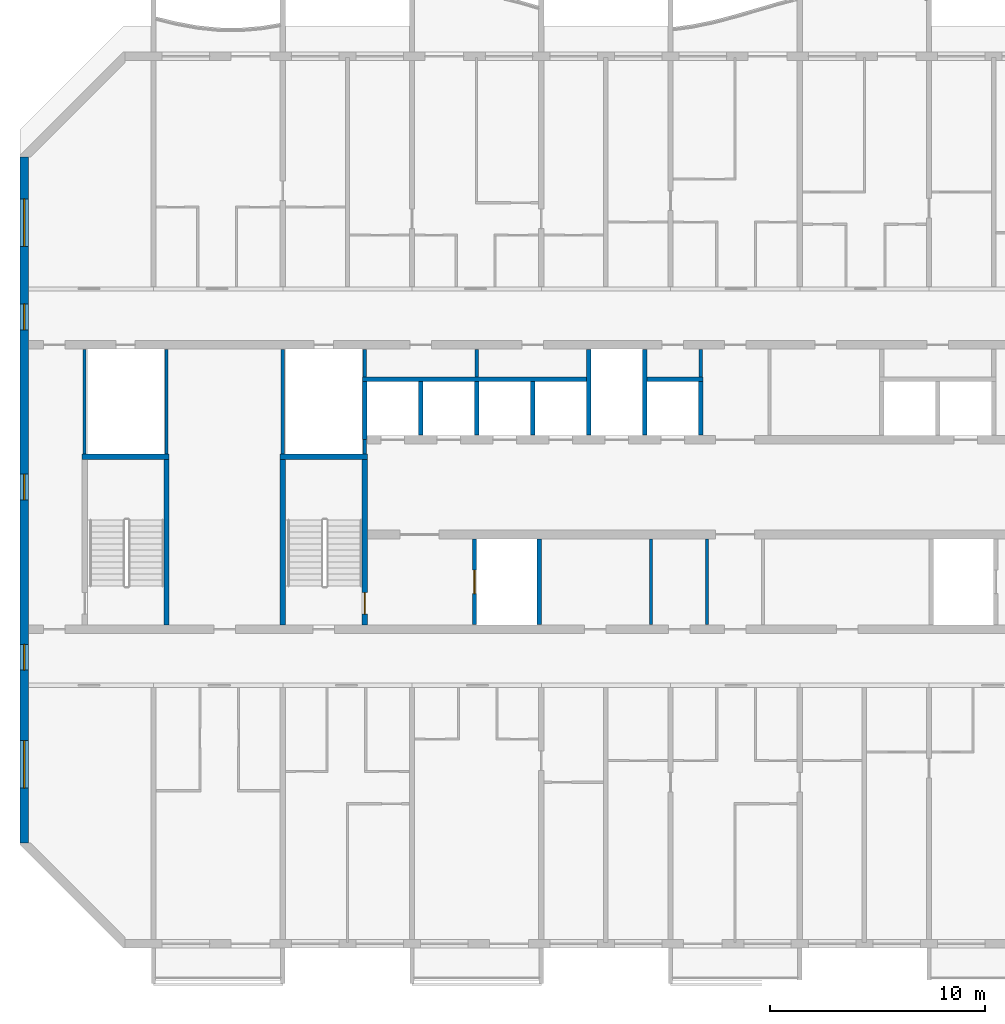
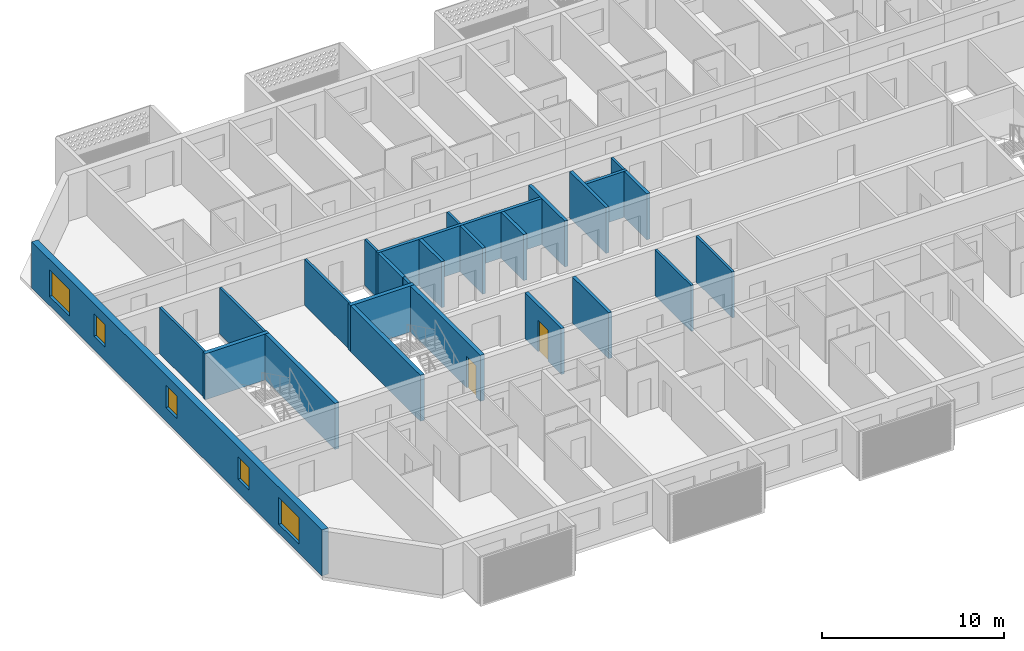
# One storey, part 3 of 26: 26 walls, 5 windows, 2 doors, 7 openings.
"""IFC4 building model written with IfcOpenShell, lengths in metres."""

from ifc_helpers import new_model, si_unit, direction, frame, frame_2d, origin, place, context, subcontext, project, spatial, rectangle, extrude, material, layer, layer_set, type_object, element, fill, save


model = new_model("IFC4")

# Units and contexts
model_context = context("Model", 3, precision=1e-05, world=origin(), true_north=direction((0.0, 1.0)))
body_context = subcontext(model_context, "Body", "Model", "MODEL_VIEW")
ifc_project = project(units=[si_unit("LENGTHUNIT", "METRE"), si_unit("AREAUNIT", "SQUARE_METRE"), si_unit("VOLUMEUNIT", "CUBIC_METRE"), si_unit("PLANEANGLEUNIT", "RADIAN"), si_unit("MASSUNIT", "GRAM", prefix="KILO")], contexts=[model_context])

# Site, building, storey
site_placement = place(None, origin())
site = spatial("IfcSite", under=ifc_project, at=site_placement, CompositionType="ELEMENT")
building_placement = place(site_placement, origin())
building = spatial("IfcBuilding", under=site, at=building_placement, Name="Poui Terraces", CompositionType="ELEMENT")
storey_placement = place(building_placement, frame((0.0, 0.0, 171.89990234375)))
storey = spatial("IfcBuildingStorey", under=building, at=storey_placement, Name="L47", CompositionType="ELEMENT", Elevation=171.89990234375)

# Walls
ifc_material_1 = material(Name="Fire-rated plasterboard wall")
ifc_layer_1 = layer(ifc_material_1, 0.14990234375)
ifc_layer_set_1 = layer_set([ifc_layer_1], Name="Fire-rated plasterboard wall")
wall_type_1 = type_object("IfcWallType", Name="CORRIDOR WALL 150", PredefinedType="PARTITIONING", material=ifc_layer_set_1)
wall_1_placement = place(storey_placement, frame((49.39990234375, 26.300048828125, 0.0), z_axis=(0.0, 0.0, 1.0), x_axis=(0.0, 1.0, 0.0)))
element("IfcWall", 1, at=wall_1_placement, inside=storey, type_object=wall_type_1, Name="CORRIDOR WALL 150", PredefinedType="PARTITIONING", context=body_context, shape_type="SweptSolid", body=[
    extrude(rectangle(XDim=1.2900390625, YDim=0.14990234375, at=frame_2d((0.64501953125, 0.0))), origin(), (0.0, 0.0, 1.0), 3.080078125),
])
wall_2_placement = place(storey_placement, frame((49.699951171875, 14.81005859375, 0.0), z_axis=(0.0, 0.0, 1.0), x_axis=(0.0, 1.0, 0.0)))
element("IfcWall", 2, at=wall_2_placement, inside=storey, type_object=wall_type_1, Name="CORRIDOR WALL 150", PredefinedType="PARTITIONING", context=body_context, shape_type="SweptSolid", body=[
    extrude(rectangle(XDim=3.97998046875, YDim=0.14990234375, at=frame_2d((1.989990234375, 0.0))), origin(), (0.0, 0.0, 1.0), 3.080078125),
])

# Wall, openings, windows
ifc_material_2 = material(Name="Concrete 50 MPa", Category="concrete")
ifc_layer_2 = layer(ifc_material_2, 0.39990234375)
ifc_layer_set_2 = layer_set([ifc_layer_2], Name="Concrete 50 MPa")
wall_type_2 = type_object("IfcWallType", Name="END WALL 400 50MPa", PredefinedType="SHEAR", material=ifc_layer_set_2)
wall_3_placement = place(storey_placement, frame((18.0, 4.682861328125, 0.0), z_axis=(0.0, 0.0, 1.0), x_axis=(0.0, 1.0, 0.0)))
wall_3 = element("IfcWall", 3, at=wall_3_placement, inside=storey, type_object=wall_type_2, Name="END WALL WEST", PredefinedType="SHEAR", context=body_context, shape_type="SweptSolid", body=[
    extrude(rectangle(XDim=31.834228515625, YDim=0.39990234375, at=frame_2d((15.9169921875, 0.0))), origin(), (0.0, 0.0, 1.0), 3.080078125),
])
opening_1_placement = place(wall_3_placement, frame((23.817138671875, 0.0, 0.89990234375)))
opening_1 = element("IfcOpeningElement", 4, at=opening_1_placement, cuts=wall_3, Name="Opening W2", PredefinedType="OPENING", context=body_context, shape_type="SweptSolid", body=[
    extrude(rectangle(XDim=1.199951171875, YDim=1.5, at=frame_2d((0.60009765625, 0.75))), frame((0.0, 0.2099609375, 0.0), z_axis=(0.0, -1.0, 0.0), x_axis=(1.0, 0.0, 0.0)), (0.0, 0.0, 1.0), 0.419921875),
])
opening_2_placement = place(wall_3_placement, frame((8.01708984375, 0.0, 0.89990234375)))
opening_2 = element("IfcOpeningElement", 5, at=opening_2_placement, cuts=wall_3, Name="Opening W2", PredefinedType="OPENING", context=body_context, shape_type="SweptSolid", body=[
    extrude(rectangle(XDim=1.199951171875, YDim=1.5, at=frame_2d((0.60009765625, 0.75))), frame((0.0, 0.2099609375, 0.0), z_axis=(0.0, -1.0, 0.0), x_axis=(1.0, 0.0, 0.0)), (0.0, 0.0, 1.0), 0.419921875),
])
opening_3_placement = place(wall_3_placement, frame((27.693603515625, 0.0, 0.60009765625)))
opening_3 = element("IfcOpeningElement", 6, at=opening_3_placement, cuts=wall_3, Name="Opening W3", PredefinedType="OPENING", context=body_context, shape_type="SweptSolid", body=[
    extrude(rectangle(XDim=2.199951171875, YDim=1.800048828125, at=frame_2d((1.10009765625, 0.89990234375))), frame((0.0, 0.2099609375, 0.0), z_axis=(0.0, -1.0, 0.0), x_axis=(1.0, 0.0, 0.0)), (0.0, 0.0, 1.0), 0.419921875),
])
opening_4_placement = place(wall_3_placement, frame((2.541015625, 0.0, 0.60009765625)))
opening_4 = element("IfcOpeningElement", 7, at=opening_4_placement, cuts=wall_3, Name="Opening W3", PredefinedType="OPENING", context=body_context, shape_type="SweptSolid", body=[
    extrude(rectangle(XDim=2.199951171875, YDim=1.800048828125, at=frame_2d((1.10009765625, 0.89990234375))), frame((0.0, 0.2099609375, 0.0), z_axis=(0.0, -1.0, 0.0), x_axis=(1.0, 0.0, 0.0)), (0.0, 0.0, 1.0), 0.419921875),
])
opening_5_placement = place(wall_3_placement, frame((15.917236328125, 0.0, 0.89990234375)))
opening_5 = element("IfcOpeningElement", 8, at=opening_5_placement, cuts=wall_3, Name="Opening W2", PredefinedType="OPENING", context=body_context, shape_type="SweptSolid", body=[
    extrude(rectangle(XDim=1.199951171875, YDim=1.5, at=frame_2d((0.60009765625, 0.75))), frame((0.0, 0.2099609375, 0.0), z_axis=(0.0, -1.0, 0.0), x_axis=(1.0, 0.0, 0.0)), (0.0, 0.0, 1.0), 0.419921875),
])
ifc_material_3 = material(Name="Clear glass in aluminium frame", Category="aluminium")
window_type_1 = type_object("IfcWindowType", Name="WINDOW 1200X1500", PartitioningType="SINGLE_PANEL", PredefinedType="WINDOW", material=ifc_material_3)
window_1_placement = place(opening_1_placement, origin())
window_1 = element("IfcWindow", 9, at=window_1_placement, inside=storey, type_object=window_type_1, Name="W2 WINDOW", OverallHeight=1.5, OverallWidth=1.199951171875, PartitioningType="SINGLE_PANEL", PredefinedType="WINDOW", context=body_context, shape_type="SweptSolid", body=[
    extrude(rectangle(XDim=1.199951171875, YDim=1.5, at=frame_2d((0.60009765625, 0.75))), frame((0.0, 0.030029296875, 0.0), z_axis=(0.0, -1.0, 0.0), x_axis=(1.0, 0.0, 0.0)), (0.0, 0.0, 1.0), 0.06005859375),
])
fill(opening_1, window_1)
window_2_placement = place(opening_2_placement, origin())
window_2 = element("IfcWindow", 10, at=window_2_placement, inside=storey, type_object=window_type_1, Name="W2 WINDOW", OverallHeight=1.5, OverallWidth=1.199951171875, PartitioningType="SINGLE_PANEL", PredefinedType="WINDOW", context=body_context, shape_type="SweptSolid", body=[
    extrude(rectangle(XDim=1.199951171875, YDim=1.5, at=frame_2d((0.60009765625, 0.75))), frame((0.0, 0.030029296875, 0.0), z_axis=(0.0, -1.0, 0.0), x_axis=(1.0, 0.0, 0.0)), (0.0, 0.0, 1.0), 0.06005859375),
])
fill(opening_2, window_2)
window_3_placement = place(opening_5_placement, origin())
window_3 = element("IfcWindow", 11, at=window_3_placement, inside=storey, type_object=window_type_1, Name="W2 WINDOW", OverallHeight=1.5, OverallWidth=1.199951171875, PartitioningType="SINGLE_PANEL", PredefinedType="WINDOW", context=body_context, shape_type="SweptSolid", body=[
    extrude(rectangle(XDim=1.199951171875, YDim=1.5, at=frame_2d((0.60009765625, 0.75))), frame((0.0, 0.030029296875, 0.0), z_axis=(0.0, -1.0, 0.0), x_axis=(1.0, 0.0, 0.0)), (0.0, 0.0, 1.0), 0.06005859375),
])
fill(opening_5, window_3)
window_type_2 = type_object("IfcWindowType", Name="WINDOW 2200X1800", PartitioningType="DOUBLE_PANEL_HORIZONTAL", PredefinedType="WINDOW", material=ifc_material_3)
window_4_placement = place(opening_3_placement, origin())
window_4 = element("IfcWindow", 12, at=window_4_placement, inside=storey, type_object=window_type_2, Name="W3 WINDOW", OverallHeight=1.800048828125, OverallWidth=2.199951171875, PartitioningType="DOUBLE_PANEL_HORIZONTAL", PredefinedType="WINDOW", context=body_context, shape_type="SweptSolid", body=[
    extrude(rectangle(XDim=2.199951171875, YDim=1.800048828125, at=frame_2d((1.10009765625, 0.89990234375))), frame((0.0, 0.030029296875, 0.0), z_axis=(0.0, -1.0, 0.0), x_axis=(1.0, 0.0, 0.0)), (0.0, 0.0, 1.0), 0.06005859375),
])
fill(opening_3, window_4)
window_5_placement = place(opening_4_placement, origin())
window_5 = element("IfcWindow", 13, at=window_5_placement, inside=storey, type_object=window_type_2, Name="W3 WINDOW", OverallHeight=1.800048828125, OverallWidth=2.199951171875, PartitioningType="DOUBLE_PANEL_HORIZONTAL", PredefinedType="WINDOW", context=body_context, shape_type="SweptSolid", body=[
    extrude(rectangle(XDim=2.199951171875, YDim=1.800048828125, at=frame_2d((1.10009765625, 0.89990234375))), frame((0.0, 0.030029296875, 0.0), z_axis=(0.0, -1.0, 0.0), x_axis=(1.0, 0.0, 0.0)), (0.0, 0.0, 1.0), 0.06005859375),
])
fill(opening_4, window_5)

# Walls
ifc_material_4 = material(Name="Plasterboard partition")
ifc_layer_3 = layer(ifc_material_4, 0.14990234375)
ifc_layer_set_3 = layer_set([ifc_layer_3], Name="Plasterboard partition")
wall_type_3 = type_object("IfcWallType", Name="PARTITION WALL 150", PredefinedType="PARTITIONING", material=ifc_layer_set_3)
wall_4_placement = place(storey_placement, frame((39.0, 26.300048828125, 0.0), z_axis=(0.0, 0.0, 1.0), x_axis=(0.0, 1.0, 0.0)))
element("IfcWall", 14, at=wall_4_placement, inside=storey, type_object=wall_type_3, Name="PARTITION WALL 150", PredefinedType="PARTITIONING", context=body_context, shape_type="SweptSolid", body=[
    extrude(rectangle(XDim=1.2900390625, YDim=0.14990234375, at=frame_2d((0.64501953125, 0.0))), origin(), (0.0, 0.0, 1.0), 3.080078125),
])
wall_5_placement = place(storey_placement, frame((47.10009765625, 14.81005859375, 0.0), z_axis=(0.0, 0.0, 1.0), x_axis=(0.0, 1.0, 0.0)))
element("IfcWall", 15, at=wall_5_placement, inside=storey, type_object=wall_type_3, Name="PARTITION WALL 150", PredefinedType="PARTITIONING", context=body_context, shape_type="SweptSolid", body=[
    extrude(rectangle(XDim=3.97998046875, YDim=0.14990234375, at=frame_2d((1.989990234375, 0.0))), origin(), (0.0, 0.0, 1.0), 3.080078125),
])
ifc_material_5 = material(Name="Fire-rated plasterboard riser wall")
ifc_layer_4 = layer(ifc_material_5, 0.14990234375)
ifc_layer_set_4 = layer_set([ifc_layer_4], Name="Fire-rated plasterboard riser wall")
wall_type_4 = type_object("IfcWallType", Name="RISER WALL 150", PredefinedType="PARTITIONING", material=ifc_layer_set_4)
for number, where, z_axis, x_axis, name in (
    (16, (20.800048828125, 22.735107421875, 0.0), (0.0, 0.0, 1.0), (0.0, 1.0, 0.0), "RISER WALL 150"),
    (17, (24.60009765625, 22.735107421875, 0.0), (0.0, 0.0, 1.0), (0.0, 1.0, 0.0), "RISER WALL 150"),
    (18, (30.0, 22.735107421875, 0.0), (0.0, 0.0, 1.0), (0.0, 1.0, 0.0), "RISER WALL 150"),
):
    element("IfcWall", number, at=place(storey_placement, frame(where, z_axis=z_axis, x_axis=x_axis)), inside=storey, type_object=wall_type_4, Name=name, PredefinedType="PARTITIONING", context=body_context, shape_type="SweptSolid", body=[
        extrude(rectangle(XDim=4.85498046875, YDim=0.14990234375, at=frame_2d((2.427490234375, 0.0))), origin(), (0.0, 0.0, 1.0), 3.080078125),
    ])
wall_6_placement = place(storey_placement, frame((33.800048828125, 22.735107421875, 0.0), z_axis=(0.0, 0.0, 1.0), x_axis=(0.0, 1.0, 0.0)))
element("IfcWall", 19, at=wall_6_placement, inside=storey, type_object=wall_type_4, Name="RISER WALL 150", PredefinedType="PARTITIONING", context=body_context, shape_type="SweptSolid", body=[
    extrude(rectangle(XDim=0.664794921875, YDim=0.14990234375, at=frame_2d((0.33251953125, 0.0))), origin(), (0.0, 0.0, 1.0), 3.080078125),
])
wall_7_placement = place(storey_placement, frame((33.800048828125, 26.300048828125, 0.0), z_axis=(0.0, 0.0, 1.0), x_axis=(0.0, 1.0, 0.0)))
element("IfcWall", 20, at=wall_7_placement, inside=storey, type_object=wall_type_4, Name="RISER WALL 150", PredefinedType="PARTITIONING", context=body_context, shape_type="SweptSolid", body=[
    extrude(rectangle(XDim=1.2900390625, YDim=0.14990234375, at=frame_2d((0.64501953125, 0.0))), origin(), (0.0, 0.0, 1.0), 3.080078125),
])
ifc_material_6 = material(Name="Fire-rated masonry shaft wall", Category="masonry")
ifc_layer_5 = layer(ifc_material_6, 0.199951171875)
ifc_layer_set_5 = layer_set([ifc_layer_5], Name="Fire-rated masonry shaft wall")
wall_type_5 = type_object("IfcWallType", Name="SHAFT WALL 200", PredefinedType="PARTITIONING", material=ifc_layer_set_5)
wall_8_placement = place(storey_placement, frame((33.699951171875, 26.199951171875, 0.0), z_axis=(0.0, 0.0, 1.0), x_axis=(1.0, 0.0, 0.0)))
element("IfcWall", 21, at=wall_8_placement, inside=storey, type_object=wall_type_5, Name="SHAFT WALL 200", PredefinedType="PARTITIONING", context=body_context, shape_type="SweptSolid", body=[
    extrude(rectangle(XDim=10.400146484375, YDim=0.199951171875, at=frame_2d((5.2001953125, 0.0))), origin(), (0.0, 0.0, 1.0), 3.080078125),
])
wall_9_placement = place(storey_placement, frame((46.89990234375, 26.199951171875, 0.0), z_axis=(0.0, 0.0, 1.0), x_axis=(1.0, 0.0, 0.0)))
element("IfcWall", 22, at=wall_9_placement, inside=storey, type_object=wall_type_5, Name="SHAFT WALL 200", PredefinedType="PARTITIONING", context=body_context, shape_type="SweptSolid", body=[
    extrude(rectangle(XDim=2.60009765625, YDim=0.199951171875, at=frame_2d((1.300048828125, 0.0))), origin(), (0.0, 0.0, 1.0), 3.080078125),
])
wall_10_placement = place(storey_placement, frame((33.800048828125, 23.39990234375, 0.0), z_axis=(0.0, 0.0, 1.0), x_axis=(0.0, 1.0, 0.0)))
element("IfcWall", 23, at=wall_10_placement, inside=storey, type_object=wall_type_5, Name="SHAFT WALL 200", PredefinedType="PARTITIONING", context=body_context, shape_type="SweptSolid", body=[
    extrude(rectangle(XDim=2.7001953125, YDim=0.199951171875, at=frame_2d((1.35009765625, 0.0))), origin(), (0.0, 0.0, 1.0), 3.080078125),
])
wall_11_placement = place(storey_placement, frame((36.39990234375, 23.610107421875, 0.0), z_axis=(0.0, 0.0, 1.0), x_axis=(0.0, 1.0, 0.0)))
element("IfcWall", 24, at=wall_11_placement, inside=storey, type_object=wall_type_5, Name="SHAFT WALL 200", PredefinedType="PARTITIONING", context=body_context, shape_type="SweptSolid", body=[
    extrude(rectangle(XDim=2.489990234375, YDim=0.199951171875, at=frame_2d((1.2451171875, 0.0))), origin(), (0.0, 0.0, 1.0), 3.080078125),
])

# Wall, opening, door
wall_12_placement = place(storey_placement, frame((38.89990234375, 14.81005859375, 0.0), z_axis=(0.0, 0.0, 1.0), x_axis=(0.0, 1.0, 0.0)))
wall_12 = element("IfcWall", 25, at=wall_12_placement, inside=storey, type_object=wall_type_5, Name="SHAFT WALL 200", PredefinedType="PARTITIONING", context=body_context, shape_type="SweptSolid", body=[
    extrude(rectangle(XDim=3.97998046875, YDim=0.199951171875, at=frame_2d((1.989990234375, 0.0))), origin(), (0.0, 0.0, 1.0), 3.080078125),
])
opening_6_placement = place(wall_12_placement, frame((1.43994140625, 0.0, 0.0)))
opening_6 = element("IfcOpeningElement", 26, at=opening_6_placement, cuts=wall_12, Name="Opening LD", PredefinedType="OPENING", context=body_context, shape_type="SweptSolid", body=[
    extrude(rectangle(XDim=1.10009765625, YDim=2.10009765625, at=frame_2d((0.550048828125, 1.050048828125))), frame((0.0, 0.10986328125, 0.0), z_axis=(0.0, -1.0, 0.0), x_axis=(1.0, 0.0, 0.0)), (0.0, 0.0, 1.0), 0.219970703125),
])
ifc_material_7 = material(Name="Stainless steel sliding door", Category="steel")
door_type_1 = type_object("IfcDoorType", Name="LIFT LANDING DOOR 1100 X 2100", OperationType="DOUBLE_DOOR_SLIDING", PredefinedType="DOOR", material=ifc_material_7)
door_1_placement = place(opening_6_placement, origin())
door_1 = element("IfcDoor", 27, at=door_1_placement, inside=storey, type_object=door_type_1, Name="LANDING DOOR", OperationType="DOUBLE_DOOR_SLIDING", OverallHeight=2.10009765625, OverallWidth=1.10009765625, PredefinedType="DOOR", context=body_context, shape_type="SweptSolid", body=[
    extrude(rectangle(XDim=1.10009765625, YDim=2.10009765625, at=frame_2d((0.550048828125, 1.050048828125))), frame((0.0, 0.02490234375, 0.0), z_axis=(0.0, -1.0, 0.0), x_axis=(1.0, 0.0, 0.0)), (0.0, 0.0, 1.0), 0.050048828125),
])
fill(opening_6, door_1)

# Walls
for number, where, z_axis, x_axis, name in (
    (28, (39.0, 23.610107421875, 0.0), (0.0, 0.0, 1.0), (0.0, 1.0, 0.0), "SHAFT WALL 200"),
    (29, (41.60009765625, 23.610107421875, 0.0), (0.0, 0.0, 1.0), (0.0, 1.0, 0.0), "SHAFT WALL 200"),
):
    element("IfcWall", number, at=place(storey_placement, frame(where, z_axis=z_axis, x_axis=x_axis)), inside=storey, type_object=wall_type_5, Name=name, PredefinedType="PARTITIONING", context=body_context, shape_type="SweptSolid", body=[
        extrude(rectangle(XDim=2.489990234375, YDim=0.199951171875, at=frame_2d((1.2451171875, 0.0))), origin(), (0.0, 0.0, 1.0), 3.080078125),
    ])
for number, where, z_axis, x_axis, name in (
    (30, (41.89990234375, 14.81005859375, 0.0), (0.0, 0.0, 1.0), (0.0, 1.0, 0.0), "SHAFT WALL 200"),
    (31, (44.199951171875, 23.610107421875, 0.0), (0.0, 0.0, 1.0), (0.0, 1.0, 0.0), "SHAFT WALL 200"),
    (32, (46.800048828125, 23.610107421875, 0.0), (0.0, 0.0, 1.0), (0.0, 1.0, 0.0), "SHAFT WALL 200"),
):
    element("IfcWall", number, at=place(storey_placement, frame(where, z_axis=z_axis, x_axis=x_axis)), inside=storey, type_object=wall_type_5, Name=name, PredefinedType="PARTITIONING", context=body_context, shape_type="SweptSolid", body=[
        extrude(rectangle(XDim=3.97998046875, YDim=0.199951171875, at=frame_2d((1.989990234375, 0.0))), origin(), (0.0, 0.0, 1.0), 3.080078125),
    ])
wall_13_placement = place(storey_placement, frame((49.39990234375, 23.610107421875, 0.0), z_axis=(0.0, 0.0, 1.0), x_axis=(0.0, 1.0, 0.0)))
element("IfcWall", 33, at=wall_13_placement, inside=storey, type_object=wall_type_5, Name="SHAFT WALL 200", PredefinedType="PARTITIONING", context=body_context, shape_type="SweptSolid", body=[
    extrude(rectangle(XDim=2.489990234375, YDim=0.199951171875, at=frame_2d((1.2451171875, 0.0))), origin(), (0.0, 0.0, 1.0), 3.080078125),
])
ifc_layer_6 = layer(ifc_material_2, 0.25)
ifc_layer_set_6 = layer_set([ifc_layer_6], Name="Concrete 50 MPa")
wall_type_6 = type_object("IfcWallType", Name="STAIR CORE WALL 250 50 MPA", PredefinedType="SOLIDWALL", material=ifc_layer_set_6)
wall_14_placement = place(storey_placement, frame((30.0, 14.800048828125, 0.0), z_axis=(0.0, 0.0, 1.0), x_axis=(0.0, 1.0, 0.0)))
element("IfcWall", 34, at=wall_14_placement, inside=storey, type_object=wall_type_6, Name="STAIR CORE WALL", PredefinedType="SOLIDWALL", context=body_context, shape_type="SweptSolid", body=[
    extrude(rectangle(XDim=7.675048828125, YDim=0.25, at=frame_2d((3.83740234375, 0.0))), origin(), (0.0, 0.0, 1.0), 3.080078125),
])

# Wall, opening, door
wall_15_placement = place(storey_placement, frame((33.800048828125, 14.800048828125, 0.0), z_axis=(0.0, 0.0, 1.0), x_axis=(0.0, 1.0, 0.0)))
wall_15 = element("IfcWall", 35, at=wall_15_placement, inside=storey, type_object=wall_type_6, Name="STAIR CORE WALL", PredefinedType="SOLIDWALL", context=body_context, shape_type="SweptSolid", body=[
    extrude(rectangle(XDim=7.675048828125, YDim=0.25, at=frame_2d((3.83740234375, 0.0))), origin(), (0.0, 0.0, 1.0), 3.080078125),
])
opening_7_placement = place(wall_15_placement, frame((0.5, 0.0, 0.0)))
opening_7 = element("IfcOpeningElement", 36, at=opening_7_placement, cuts=wall_15, Name="Opening FD60S", PredefinedType="OPENING", context=body_context, shape_type="SweptSolid", body=[
    extrude(rectangle(XDim=1.0, YDim=2.10009765625, at=frame_2d((0.5, 1.050048828125))), frame((0.0, 0.135009765625, 0.0), z_axis=(0.0, -1.0, 0.0), x_axis=(1.0, 0.0, 0.0)), (0.0, 0.0, 1.0), 0.27001953125),
])
ifc_material_8 = material(Name="Steel fire door", Category="steel")
door_type_2 = type_object("IfcDoorType", Name="STAIR DOOR 1000 X 2100", OperationType="NOTDEFINED", PredefinedType="DOOR", material=ifc_material_8)
door_2_placement = place(opening_7_placement, origin())
door_2 = element("IfcDoor", 37, at=door_2_placement, inside=storey, type_object=door_type_2, Name="STAIR DOOR 097", OperationType="SINGLE_SWING_LEFT", OverallHeight=2.10009765625, OverallWidth=1.0, PredefinedType="DOOR", context=body_context, shape_type="SweptSolid", body=[
    extrude(rectangle(XDim=1.0, YDim=2.10009765625, at=frame_2d((0.5, 1.050048828125))), frame((0.0, 0.02490234375, 0.0), z_axis=(0.0, -1.0, 0.0), x_axis=(1.0, 0.0, 0.0)), (0.0, 0.0, 1.0), 0.050048828125),
])
fill(opening_7, door_2)

# Walls
wall_16_placement = place(storey_placement, frame((29.875, 22.60009765625, 0.0), z_axis=(0.0, 0.0, 1.0), x_axis=(1.0, 0.0, 0.0)))
element("IfcWall", 38, at=wall_16_placement, inside=storey, type_object=wall_type_6, Name="STAIR CORE WALL", PredefinedType="SOLIDWALL", context=body_context, shape_type="SweptSolid", body=[
    extrude(rectangle(XDim=4.050048828125, YDim=0.25, at=frame_2d((2.02490234375, 0.0))), origin(), (0.0, 0.0, 1.0), 3.080078125),
])
wall_17_placement = place(storey_placement, frame((24.60009765625, 14.800048828125, 0.0), z_axis=(0.0, 0.0, 1.0), x_axis=(0.0, 1.0, 0.0)))
element("IfcWall", 39, at=wall_17_placement, inside=storey, type_object=wall_type_6, Name="STAIR CORE WALL", PredefinedType="SOLIDWALL", context=body_context, shape_type="SweptSolid", body=[
    extrude(rectangle(XDim=7.675048828125, YDim=0.25, at=frame_2d((3.83740234375, 0.0))), origin(), (0.0, 0.0, 1.0), 3.080078125),
])
wall_18_placement = place(storey_placement, frame((20.675048828125, 22.60009765625, 0.0), z_axis=(0.0, 0.0, 1.0), x_axis=(1.0, 0.0, 0.0)))
element("IfcWall", 40, at=wall_18_placement, inside=storey, type_object=wall_type_6, Name="STAIR CORE WALL", PredefinedType="SOLIDWALL", context=body_context, shape_type="SweptSolid", body=[
    extrude(rectangle(XDim=4.050048828125, YDim=0.25, at=frame_2d((2.02490234375, 0.0))), origin(), (0.0, 0.0, 1.0), 3.080078125),
])

save(model, "model.ifc")
